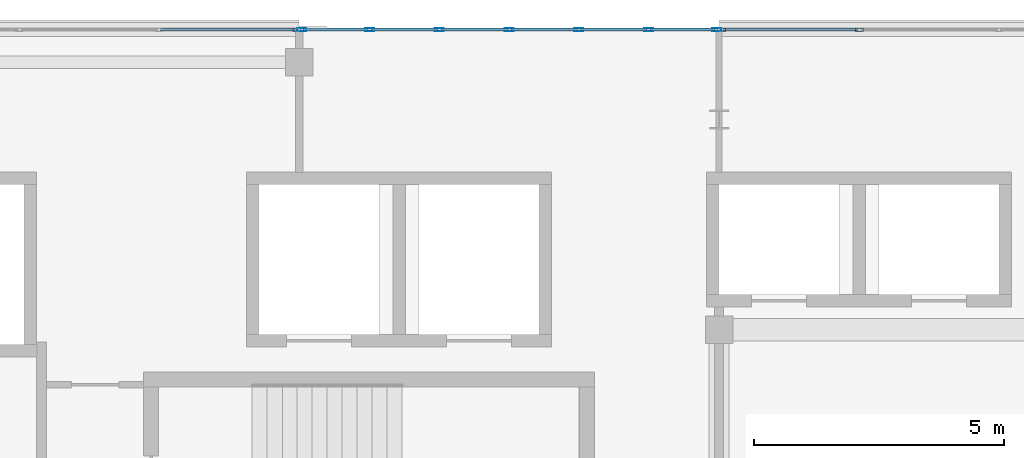
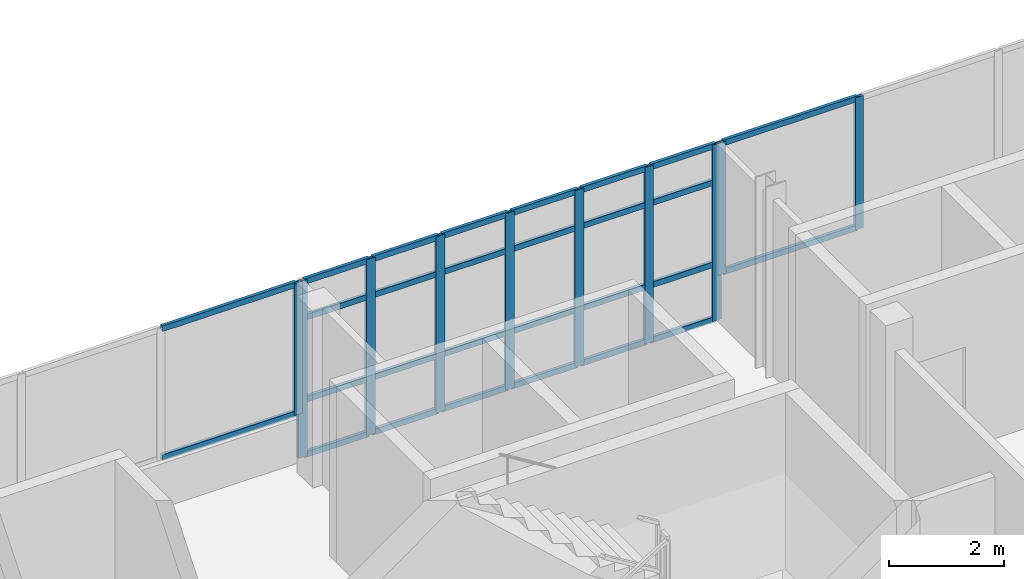
# One storey, part 41 of 67: 38 members, 3 elements without a shape of their own.
"""IFC4 building model written with IfcOpenShell, lengths in metres."""

from ifc_helpers import new_model, si_unit, direction, frame, origin, origin_2d, place, context, subcontext, project, spatial, hollow_rectangle, extrude, material, material_profile, profile_set, type_object, element, aggregate, save


model = new_model("IFC4")

# Units and contexts
model_context = context("Model", 3, precision=1e-05, world=origin(), true_north=direction((0.0, 1.0)))
body_context = subcontext(model_context, "Body", "Model", "MODEL_VIEW")
ifc_project = project(units=[si_unit("LENGTHUNIT", "METRE"), si_unit("AREAUNIT", "SQUARE_METRE"), si_unit("VOLUMEUNIT", "CUBIC_METRE"), si_unit("PLANEANGLEUNIT", "RADIAN"), si_unit("MASSUNIT", "GRAM", prefix="KILO")], contexts=[model_context])

# Site, building, storey
site_placement = place(None, origin())
site = spatial("IfcSite", under=ifc_project, at=site_placement, CompositionType="ELEMENT")
building_placement = place(site_placement, origin())
building = spatial("IfcBuilding", under=site, at=building_placement, Name="Selatvlak General Hospital", CompositionType="ELEMENT")
storey_placement = place(building_placement, frame((0.0, 0.0, 35.39990234375)))
storey = spatial("IfcBuildingStorey", under=building, at=storey_placement, Name="L08", CompositionType="ELEMENT", Elevation=35.39990234375)

# Curtain wall, member
ifc_material_1 = material(Name="Solar-control Low-E double glazing", Category="glass")
curtain_wall_type_1 = type_object("IfcCurtainWallType", Name="CW-CW-02", PredefinedType="USERDEFINED", material=ifc_material_1)
curtain_wall_1_placement = place(storey_placement, origin())
curtain_wall_1 = element("IfcCurtainWall", 1, at=curtain_wall_1_placement, inside=storey, type_object=curtain_wall_type_1, Name="Glazed facade curtain wall CW-L08-0691", ObjectType="UNITISED CURTAIN WALL", PredefinedType="USERDEFINED")
ifc_material_2 = material(Name="Dark anodised aluminium mullion", Category="aluminium")
ifc_material_profile_1 = material_profile(ifc_material_2, hollow_rectangle(XDim=0.06494140625, YDim=0.159912109375, WallThickness=0.00390625, at=origin_2d()), Name="AL-MUL 65x160x4")
ifc_profile_set_1 = profile_set([ifc_material_profile_1], Name="Dark anodised aluminium mullion")
member_type_1 = type_object("IfcMemberType", Name="CWM-01", PredefinedType="MULLION", material=ifc_profile_set_1)
member_1_placement = place(storey_placement, frame((106.75146484375, 120.0, 0.940185546875), z_axis=(0.0, 0.0, 1.0), x_axis=(0.0, 1.0, 0.0)))
member_1 = element("IfcMember", 2, at=member_1_placement, type_object=member_type_1, Name="CW-02 mullion 4", PredefinedType="MULLION", context=body_context, shape_type="SweptSolid", body=[
    extrude(hollow_rectangle(XDim=0.06494140625, YDim=0.159912109375, WallThickness=0.00390625, at=origin_2d()), origin(), (0.0, 0.0, 1.0), 2.7998046875),
])

# Curtain wall, members
curtain_wall_2_placement = place(storey_placement, origin())
curtain_wall_2 = element("IfcCurtainWall", 3, at=curtain_wall_2_placement, inside=storey, type_object=curtain_wall_type_1, Name="Glazed facade curtain wall CW-L08-0693", ObjectType="UNITISED CURTAIN WALL", PredefinedType="USERDEFINED")
member_2_placement = place(storey_placement, frame((115.24658203125, 120.0, 0.940185546875), z_axis=(0.0, 0.0, 1.0), x_axis=(0.0, 1.0, 0.0)))
member_2 = element("IfcMember", 4, at=member_2_placement, type_object=member_type_1, Name="CW-02 mullion 1", PredefinedType="MULLION", context=body_context, shape_type="SweptSolid", body=[
    extrude(hollow_rectangle(XDim=0.06494140625, YDim=0.159912109375, WallThickness=0.00390625, at=origin_2d()), origin(), (0.0, 0.0, 1.0), 2.7998046875),
])
member_3_placement = place(storey_placement, frame((118.00390625, 120.0, 0.940185546875), z_axis=(0.0, 0.0, 1.0), x_axis=(0.0, 1.0, 0.0)))
member_3 = element("IfcMember", 5, at=member_3_placement, type_object=member_type_1, Name="CW-02 mullion 2", PredefinedType="MULLION", context=body_context, shape_type="SweptSolid", body=[
    extrude(hollow_rectangle(XDim=0.06494140625, YDim=0.159912109375, WallThickness=0.00390625, at=origin_2d()), origin(), (0.0, 0.0, 1.0), 2.7998046875),
])

curtain_wall_type_2 = type_object("IfcCurtainWallType", Name="CW-CW-04", PredefinedType="USERDEFINED", material=ifc_material_1)
curtain_wall_3_placement = place(storey_placement, origin())
curtain_wall_3 = element("IfcCurtainWall", 6, at=curtain_wall_3_placement, inside=storey, type_object=curtain_wall_type_2, Name="Glazed facade curtain wall CW-L08-0692", ObjectType="STICK GLAZING WALL", PredefinedType="USERDEFINED")
ifc_material_profile_2 = material_profile(ifc_material_2, hollow_rectangle(XDim=0.06494140625, YDim=0.179931640625, WallThickness=0.00439453125, at=origin_2d()), Name="AL-MUL 65x180x4.5")
ifc_profile_set_2 = profile_set([ifc_material_profile_2], Name="Dark anodised aluminium mullion")
member_type_2 = type_object("IfcMemberType", Name="CWM-02", PredefinedType="MULLION", material=ifc_profile_set_2)
member_4_placement = place(storey_placement, frame((106.846435546875, 120.0, 0.0), z_axis=(0.0, 0.0, 1.0), x_axis=(0.0, 1.0, 0.0)))
member_4 = element("IfcMember", 7, at=member_4_placement, type_object=member_type_2, Name="CW-04 mullion 1", PredefinedType="MULLION", context=body_context, shape_type="SweptSolid", body=[
    extrude(hollow_rectangle(XDim=0.06494140625, YDim=0.179931640625, WallThickness=0.00439453125, at=origin_2d()), origin(), (0.0, 0.0, 1.0), 3.739990234375),
])
member_5_placement = place(storey_placement, frame((108.208984375, 120.0, 0.0), z_axis=(0.0, 0.0, 1.0), x_axis=(0.0, 1.0, 0.0)))
member_5 = element("IfcMember", 8, at=member_5_placement, type_object=member_type_2, Name="CW-04 mullion 2", PredefinedType="MULLION", context=body_context, shape_type="SweptSolid", body=[
    extrude(hollow_rectangle(XDim=0.06494140625, YDim=0.179931640625, WallThickness=0.00439453125, at=origin_2d()), origin(), (0.0, 0.0, 1.0), 3.739990234375),
])
member_6_placement = place(storey_placement, frame((109.60400390625, 120.0, 0.0), z_axis=(0.0, 0.0, 1.0), x_axis=(0.0, 1.0, 0.0)))
member_6 = element("IfcMember", 9, at=member_6_placement, type_object=member_type_2, Name="CW-04 mullion 3", PredefinedType="MULLION", context=body_context, shape_type="SweptSolid", body=[
    extrude(hollow_rectangle(XDim=0.06494140625, YDim=0.179931640625, WallThickness=0.00439453125, at=origin_2d()), origin(), (0.0, 0.0, 1.0), 3.739990234375),
])
member_7_placement = place(storey_placement, frame((110.9990234375, 120.0, 0.0), z_axis=(0.0, 0.0, 1.0), x_axis=(0.0, 1.0, 0.0)))
member_7 = element("IfcMember", 10, at=member_7_placement, type_object=member_type_2, Name="CW-04 mullion 4", PredefinedType="MULLION", context=body_context, shape_type="SweptSolid", body=[
    extrude(hollow_rectangle(XDim=0.06494140625, YDim=0.179931640625, WallThickness=0.00439453125, at=origin_2d()), origin(), (0.0, 0.0, 1.0), 3.739990234375),
])
member_8_placement = place(storey_placement, frame((112.39404296875, 120.0, 0.0), z_axis=(0.0, 0.0, 1.0), x_axis=(0.0, 1.0, 0.0)))
member_8 = element("IfcMember", 11, at=member_8_placement, type_object=member_type_2, Name="CW-04 mullion 5", PredefinedType="MULLION", context=body_context, shape_type="SweptSolid", body=[
    extrude(hollow_rectangle(XDim=0.06494140625, YDim=0.179931640625, WallThickness=0.00439453125, at=origin_2d()), origin(), (0.0, 0.0, 1.0), 3.739990234375),
])
member_9_placement = place(storey_placement, frame((113.7890625, 120.0, 0.0), z_axis=(0.0, 0.0, 1.0), x_axis=(0.0, 1.0, 0.0)))
member_9 = element("IfcMember", 12, at=member_9_placement, type_object=member_type_2, Name="CW-04 mullion 6", PredefinedType="MULLION", context=body_context, shape_type="SweptSolid", body=[
    extrude(hollow_rectangle(XDim=0.06494140625, YDim=0.179931640625, WallThickness=0.00439453125, at=origin_2d()), origin(), (0.0, 0.0, 1.0), 3.739990234375),
])
member_10_placement = place(storey_placement, frame((115.151611328125, 120.0, 0.0), z_axis=(0.0, 0.0, 1.0), x_axis=(0.0, 1.0, 0.0)))
member_10 = element("IfcMember", 13, at=member_10_placement, type_object=member_type_2, Name="CW-04 mullion 7", PredefinedType="MULLION", context=body_context, shape_type="SweptSolid", body=[
    extrude(hollow_rectangle(XDim=0.06494140625, YDim=0.179931640625, WallThickness=0.00439453125, at=origin_2d()), origin(), (0.0, 0.0, 1.0), 3.739990234375),
])

# Member
ifc_material_profile_3 = material_profile(ifc_material_2, hollow_rectangle(XDim=0.06494140625, YDim=0.1201171875, WallThickness=0.00390625, at=origin_2d()), Name="AL-TRN 65x120x4")
ifc_profile_set_3 = profile_set([ifc_material_profile_3], Name="Dark anodised aluminium mullion")
member_type_3 = type_object("IfcMemberType", Name="CWT-01", PredefinedType="USERDEFINED", material=ifc_profile_set_3)
member_11_placement = place(storey_placement, frame((104.026611328125, 120.0, 0.97265625), z_axis=(1.0, 0.0, 0.0), x_axis=(0.0, 1.0, 0.0)))
member_11 = element("IfcMember", 14, at=member_11_placement, type_object=member_type_3, Name="CW-02 transom 3.1", ObjectType="TRANSOM", PredefinedType="USERDEFINED", context=body_context, shape_type="SweptSolid", body=[
    extrude(hollow_rectangle(XDim=0.06494140625, YDim=0.1201171875, WallThickness=0.00390625, at=origin_2d()), origin(), (0.0, 0.0, 1.0), 2.6923828125),
])

member_12_placement = place(storey_placement, frame((104.026611328125, 120.0, 3.70751953125), z_axis=(1.0, 0.0, 0.0), x_axis=(0.0, 1.0, 0.0)))
member_12 = element("IfcMember", 15, at=member_12_placement, type_object=member_type_3, Name="CW-02 transom 3.2", ObjectType="TRANSOM", PredefinedType="USERDEFINED", context=body_context, shape_type="SweptSolid", body=[
    extrude(hollow_rectangle(XDim=0.06494140625, YDim=0.1201171875, WallThickness=0.00390625, at=origin_2d()), origin(), (0.0, 0.0, 1.0), 2.6923828125),
])

aggregate(curtain_wall_1, [member_1, member_11, member_12])

member_13_placement = place(storey_placement, frame((106.87890625, 120.0, 0.03271484375), z_axis=(1.0, 0.0, 0.0), x_axis=(0.0, 1.0, 0.0)))
member_13 = element("IfcMember", 16, at=member_13_placement, type_object=member_type_3, Name="CW-04 transom 1.1", ObjectType="TRANSOM", PredefinedType="USERDEFINED", context=body_context, shape_type="SweptSolid", body=[
    extrude(hollow_rectangle(XDim=0.06494140625, YDim=0.1201171875, WallThickness=0.00390625, at=origin_2d()), origin(), (0.0, 0.0, 1.0), 1.297607421875),
])

member_14_placement = place(storey_placement, frame((106.87890625, 120.0, 1.2001953125), z_axis=(1.0, 0.0, 0.0), x_axis=(0.0, 1.0, 0.0)))
member_14 = element("IfcMember", 17, at=member_14_placement, type_object=member_type_3, Name="CW-04 transom 1.2", ObjectType="TRANSOM", PredefinedType="USERDEFINED", context=body_context, shape_type="SweptSolid", body=[
    extrude(hollow_rectangle(XDim=0.06494140625, YDim=0.1201171875, WallThickness=0.00390625, at=origin_2d()), origin(), (0.0, 0.0, 1.0), 1.297607421875),
])

member_15_placement = place(storey_placement, frame((106.87890625, 120.0, 2.940185546875), z_axis=(1.0, 0.0, 0.0), x_axis=(0.0, 1.0, 0.0)))
member_15 = element("IfcMember", 18, at=member_15_placement, type_object=member_type_3, Name="CW-04 transom 1.3", ObjectType="TRANSOM", PredefinedType="USERDEFINED", context=body_context, shape_type="SweptSolid", body=[
    extrude(hollow_rectangle(XDim=0.06494140625, YDim=0.1201171875, WallThickness=0.00390625, at=origin_2d()), origin(), (0.0, 0.0, 1.0), 1.297607421875),
])

member_16_placement = place(storey_placement, frame((106.87890625, 120.0, 3.70751953125), z_axis=(1.0, 0.0, 0.0), x_axis=(0.0, 1.0, 0.0)))
member_16 = element("IfcMember", 19, at=member_16_placement, type_object=member_type_3, Name="CW-04 transom 1.4", ObjectType="TRANSOM", PredefinedType="USERDEFINED", context=body_context, shape_type="SweptSolid", body=[
    extrude(hollow_rectangle(XDim=0.06494140625, YDim=0.1201171875, WallThickness=0.00390625, at=origin_2d()), origin(), (0.0, 0.0, 1.0), 1.297607421875),
])

member_17_placement = place(storey_placement, frame((108.241455078125, 120.0, 0.03271484375), z_axis=(1.0, 0.0, 0.0), x_axis=(0.0, 1.0, 0.0)))
member_17 = element("IfcMember", 20, at=member_17_placement, type_object=member_type_3, Name="CW-04 transom 2.1", ObjectType="TRANSOM", PredefinedType="USERDEFINED", context=body_context, shape_type="SweptSolid", body=[
    extrude(hollow_rectangle(XDim=0.06494140625, YDim=0.1201171875, WallThickness=0.00390625, at=origin_2d()), origin(), (0.0, 0.0, 1.0), 1.330078125),
])

member_18_placement = place(storey_placement, frame((108.241455078125, 120.0, 1.2001953125), z_axis=(1.0, 0.0, 0.0), x_axis=(0.0, 1.0, 0.0)))
member_18 = element("IfcMember", 21, at=member_18_placement, type_object=member_type_3, Name="CW-04 transom 2.2", ObjectType="TRANSOM", PredefinedType="USERDEFINED", context=body_context, shape_type="SweptSolid", body=[
    extrude(hollow_rectangle(XDim=0.06494140625, YDim=0.1201171875, WallThickness=0.00390625, at=origin_2d()), origin(), (0.0, 0.0, 1.0), 1.330078125),
])

member_19_placement = place(storey_placement, frame((108.241455078125, 120.0, 2.940185546875), z_axis=(1.0, 0.0, 0.0), x_axis=(0.0, 1.0, 0.0)))
member_19 = element("IfcMember", 22, at=member_19_placement, type_object=member_type_3, Name="CW-04 transom 2.3", ObjectType="TRANSOM", PredefinedType="USERDEFINED", context=body_context, shape_type="SweptSolid", body=[
    extrude(hollow_rectangle(XDim=0.06494140625, YDim=0.1201171875, WallThickness=0.00390625, at=origin_2d()), origin(), (0.0, 0.0, 1.0), 1.330078125),
])

member_20_placement = place(storey_placement, frame((108.241455078125, 120.0, 3.70751953125), z_axis=(1.0, 0.0, 0.0), x_axis=(0.0, 1.0, 0.0)))
member_20 = element("IfcMember", 23, at=member_20_placement, type_object=member_type_3, Name="CW-04 transom 2.4", ObjectType="TRANSOM", PredefinedType="USERDEFINED", context=body_context, shape_type="SweptSolid", body=[
    extrude(hollow_rectangle(XDim=0.06494140625, YDim=0.1201171875, WallThickness=0.00390625, at=origin_2d()), origin(), (0.0, 0.0, 1.0), 1.330078125),
])

member_21_placement = place(storey_placement, frame((109.636474609375, 120.0, 0.03271484375), z_axis=(1.0, 0.0, 0.0), x_axis=(0.0, 1.0, 0.0)))
member_21 = element("IfcMember", 24, at=member_21_placement, type_object=member_type_3, Name="CW-04 transom 3.1", ObjectType="TRANSOM", PredefinedType="USERDEFINED", context=body_context, shape_type="SweptSolid", body=[
    extrude(hollow_rectangle(XDim=0.06494140625, YDim=0.1201171875, WallThickness=0.00390625, at=origin_2d()), origin(), (0.0, 0.0, 1.0), 1.330078125),
])

member_22_placement = place(storey_placement, frame((109.636474609375, 120.0, 1.2001953125), z_axis=(1.0, 0.0, 0.0), x_axis=(0.0, 1.0, 0.0)))
member_22 = element("IfcMember", 25, at=member_22_placement, type_object=member_type_3, Name="CW-04 transom 3.2", ObjectType="TRANSOM", PredefinedType="USERDEFINED", context=body_context, shape_type="SweptSolid", body=[
    extrude(hollow_rectangle(XDim=0.06494140625, YDim=0.1201171875, WallThickness=0.00390625, at=origin_2d()), origin(), (0.0, 0.0, 1.0), 1.330078125),
])

member_23_placement = place(storey_placement, frame((109.636474609375, 120.0, 2.940185546875), z_axis=(1.0, 0.0, 0.0), x_axis=(0.0, 1.0, 0.0)))
member_23 = element("IfcMember", 26, at=member_23_placement, type_object=member_type_3, Name="CW-04 transom 3.3", ObjectType="TRANSOM", PredefinedType="USERDEFINED", context=body_context, shape_type="SweptSolid", body=[
    extrude(hollow_rectangle(XDim=0.06494140625, YDim=0.1201171875, WallThickness=0.00390625, at=origin_2d()), origin(), (0.0, 0.0, 1.0), 1.330078125),
])

member_24_placement = place(storey_placement, frame((109.636474609375, 120.0, 3.70751953125), z_axis=(1.0, 0.0, 0.0), x_axis=(0.0, 1.0, 0.0)))
member_24 = element("IfcMember", 27, at=member_24_placement, type_object=member_type_3, Name="CW-04 transom 3.4", ObjectType="TRANSOM", PredefinedType="USERDEFINED", context=body_context, shape_type="SweptSolid", body=[
    extrude(hollow_rectangle(XDim=0.06494140625, YDim=0.1201171875, WallThickness=0.00390625, at=origin_2d()), origin(), (0.0, 0.0, 1.0), 1.330078125),
])

member_25_placement = place(storey_placement, frame((111.031494140625, 120.0, 0.03271484375), z_axis=(1.0, 0.0, 0.0), x_axis=(0.0, 1.0, 0.0)))
member_25 = element("IfcMember", 28, at=member_25_placement, type_object=member_type_3, Name="CW-04 transom 4.1", ObjectType="TRANSOM", PredefinedType="USERDEFINED", context=body_context, shape_type="SweptSolid", body=[
    extrude(hollow_rectangle(XDim=0.06494140625, YDim=0.1201171875, WallThickness=0.00390625, at=origin_2d()), origin(), (0.0, 0.0, 1.0), 1.330078125),
])

member_26_placement = place(storey_placement, frame((111.031494140625, 120.0, 1.2001953125), z_axis=(1.0, 0.0, 0.0), x_axis=(0.0, 1.0, 0.0)))
member_26 = element("IfcMember", 29, at=member_26_placement, type_object=member_type_3, Name="CW-04 transom 4.2", ObjectType="TRANSOM", PredefinedType="USERDEFINED", context=body_context, shape_type="SweptSolid", body=[
    extrude(hollow_rectangle(XDim=0.06494140625, YDim=0.1201171875, WallThickness=0.00390625, at=origin_2d()), origin(), (0.0, 0.0, 1.0), 1.330078125),
])

member_27_placement = place(storey_placement, frame((111.031494140625, 120.0, 2.940185546875), z_axis=(1.0, 0.0, 0.0), x_axis=(0.0, 1.0, 0.0)))
member_27 = element("IfcMember", 30, at=member_27_placement, type_object=member_type_3, Name="CW-04 transom 4.3", ObjectType="TRANSOM", PredefinedType="USERDEFINED", context=body_context, shape_type="SweptSolid", body=[
    extrude(hollow_rectangle(XDim=0.06494140625, YDim=0.1201171875, WallThickness=0.00390625, at=origin_2d()), origin(), (0.0, 0.0, 1.0), 1.330078125),
])

member_28_placement = place(storey_placement, frame((111.031494140625, 120.0, 3.70751953125), z_axis=(1.0, 0.0, 0.0), x_axis=(0.0, 1.0, 0.0)))
member_28 = element("IfcMember", 31, at=member_28_placement, type_object=member_type_3, Name="CW-04 transom 4.4", ObjectType="TRANSOM", PredefinedType="USERDEFINED", context=body_context, shape_type="SweptSolid", body=[
    extrude(hollow_rectangle(XDim=0.06494140625, YDim=0.1201171875, WallThickness=0.00390625, at=origin_2d()), origin(), (0.0, 0.0, 1.0), 1.330078125),
])

member_29_placement = place(storey_placement, frame((112.426513671875, 120.0, 0.03271484375), z_axis=(1.0, 0.0, 0.0), x_axis=(0.0, 1.0, 0.0)))
member_29 = element("IfcMember", 32, at=member_29_placement, type_object=member_type_3, Name="CW-04 transom 5.1", ObjectType="TRANSOM", PredefinedType="USERDEFINED", context=body_context, shape_type="SweptSolid", body=[
    extrude(hollow_rectangle(XDim=0.06494140625, YDim=0.1201171875, WallThickness=0.00390625, at=origin_2d()), origin(), (0.0, 0.0, 1.0), 1.330078125),
])

member_30_placement = place(storey_placement, frame((112.426513671875, 120.0, 1.2001953125), z_axis=(1.0, 0.0, 0.0), x_axis=(0.0, 1.0, 0.0)))
member_30 = element("IfcMember", 33, at=member_30_placement, type_object=member_type_3, Name="CW-04 transom 5.2", ObjectType="TRANSOM", PredefinedType="USERDEFINED", context=body_context, shape_type="SweptSolid", body=[
    extrude(hollow_rectangle(XDim=0.06494140625, YDim=0.1201171875, WallThickness=0.00390625, at=origin_2d()), origin(), (0.0, 0.0, 1.0), 1.330078125),
])

member_31_placement = place(storey_placement, frame((112.426513671875, 120.0, 2.940185546875), z_axis=(1.0, 0.0, 0.0), x_axis=(0.0, 1.0, 0.0)))
member_31 = element("IfcMember", 34, at=member_31_placement, type_object=member_type_3, Name="CW-04 transom 5.3", ObjectType="TRANSOM", PredefinedType="USERDEFINED", context=body_context, shape_type="SweptSolid", body=[
    extrude(hollow_rectangle(XDim=0.06494140625, YDim=0.1201171875, WallThickness=0.00390625, at=origin_2d()), origin(), (0.0, 0.0, 1.0), 1.330078125),
])

member_32_placement = place(storey_placement, frame((112.426513671875, 120.0, 3.70751953125), z_axis=(1.0, 0.0, 0.0), x_axis=(0.0, 1.0, 0.0)))
member_32 = element("IfcMember", 35, at=member_32_placement, type_object=member_type_3, Name="CW-04 transom 5.4", ObjectType="TRANSOM", PredefinedType="USERDEFINED", context=body_context, shape_type="SweptSolid", body=[
    extrude(hollow_rectangle(XDim=0.06494140625, YDim=0.1201171875, WallThickness=0.00390625, at=origin_2d()), origin(), (0.0, 0.0, 1.0), 1.330078125),
])

member_33_placement = place(storey_placement, frame((113.821533203125, 120.0, 0.03271484375), z_axis=(1.0, 0.0, 0.0), x_axis=(0.0, 1.0, 0.0)))
member_33 = element("IfcMember", 36, at=member_33_placement, type_object=member_type_3, Name="CW-04 transom 6.1", ObjectType="TRANSOM", PredefinedType="USERDEFINED", context=body_context, shape_type="SweptSolid", body=[
    extrude(hollow_rectangle(XDim=0.06494140625, YDim=0.1201171875, WallThickness=0.00390625, at=origin_2d()), origin(), (0.0, 0.0, 1.0), 1.29736328125),
])

member_34_placement = place(storey_placement, frame((113.821533203125, 120.0, 1.2001953125), z_axis=(1.0, 0.0, 0.0), x_axis=(0.0, 1.0, 0.0)))
member_34 = element("IfcMember", 37, at=member_34_placement, type_object=member_type_3, Name="CW-04 transom 6.2", ObjectType="TRANSOM", PredefinedType="USERDEFINED", context=body_context, shape_type="SweptSolid", body=[
    extrude(hollow_rectangle(XDim=0.06494140625, YDim=0.1201171875, WallThickness=0.00390625, at=origin_2d()), origin(), (0.0, 0.0, 1.0), 1.29736328125),
])

member_35_placement = place(storey_placement, frame((113.821533203125, 120.0, 2.940185546875), z_axis=(1.0, 0.0, 0.0), x_axis=(0.0, 1.0, 0.0)))
member_35 = element("IfcMember", 38, at=member_35_placement, type_object=member_type_3, Name="CW-04 transom 6.3", ObjectType="TRANSOM", PredefinedType="USERDEFINED", context=body_context, shape_type="SweptSolid", body=[
    extrude(hollow_rectangle(XDim=0.06494140625, YDim=0.1201171875, WallThickness=0.00390625, at=origin_2d()), origin(), (0.0, 0.0, 1.0), 1.29736328125),
])

member_36_placement = place(storey_placement, frame((113.821533203125, 120.0, 3.70751953125), z_axis=(1.0, 0.0, 0.0), x_axis=(0.0, 1.0, 0.0)))
member_36 = element("IfcMember", 39, at=member_36_placement, type_object=member_type_3, Name="CW-04 transom 6.4", ObjectType="TRANSOM", PredefinedType="USERDEFINED", context=body_context, shape_type="SweptSolid", body=[
    extrude(hollow_rectangle(XDim=0.06494140625, YDim=0.1201171875, WallThickness=0.00390625, at=origin_2d()), origin(), (0.0, 0.0, 1.0), 1.29736328125),
])

aggregate(curtain_wall_3, [member_4, member_5, member_6, member_7, member_8, member_9, member_10, member_13, member_14, member_15, member_16, member_17, member_18, member_19, member_20, member_21, member_22, member_23, member_24, member_25, member_26, member_27, member_28, member_29, member_30, member_31, member_32, member_33, member_34, member_35, member_36])

member_37_placement = place(storey_placement, frame((115.279052734375, 120.0, 0.97265625), z_axis=(1.0, 0.0, 0.0), x_axis=(0.0, 1.0, 0.0)))
member_37 = element("IfcMember", 40, at=member_37_placement, type_object=member_type_3, Name="CW-02 transom 1.1", ObjectType="TRANSOM", PredefinedType="USERDEFINED", context=body_context, shape_type="SweptSolid", body=[
    extrude(hollow_rectangle(XDim=0.06494140625, YDim=0.1201171875, WallThickness=0.00390625, at=origin_2d()), origin(), (0.0, 0.0, 1.0), 2.6923828125),
])

member_38_placement = place(storey_placement, frame((115.279052734375, 120.0, 3.70751953125), z_axis=(1.0, 0.0, 0.0), x_axis=(0.0, 1.0, 0.0)))
member_38 = element("IfcMember", 41, at=member_38_placement, type_object=member_type_3, Name="CW-02 transom 1.2", ObjectType="TRANSOM", PredefinedType="USERDEFINED", context=body_context, shape_type="SweptSolid", body=[
    extrude(hollow_rectangle(XDim=0.06494140625, YDim=0.1201171875, WallThickness=0.00390625, at=origin_2d()), origin(), (0.0, 0.0, 1.0), 2.6923828125),
])

aggregate(curtain_wall_2, [member_2, member_3, member_37, member_38])

save(model, "model.ifc")
